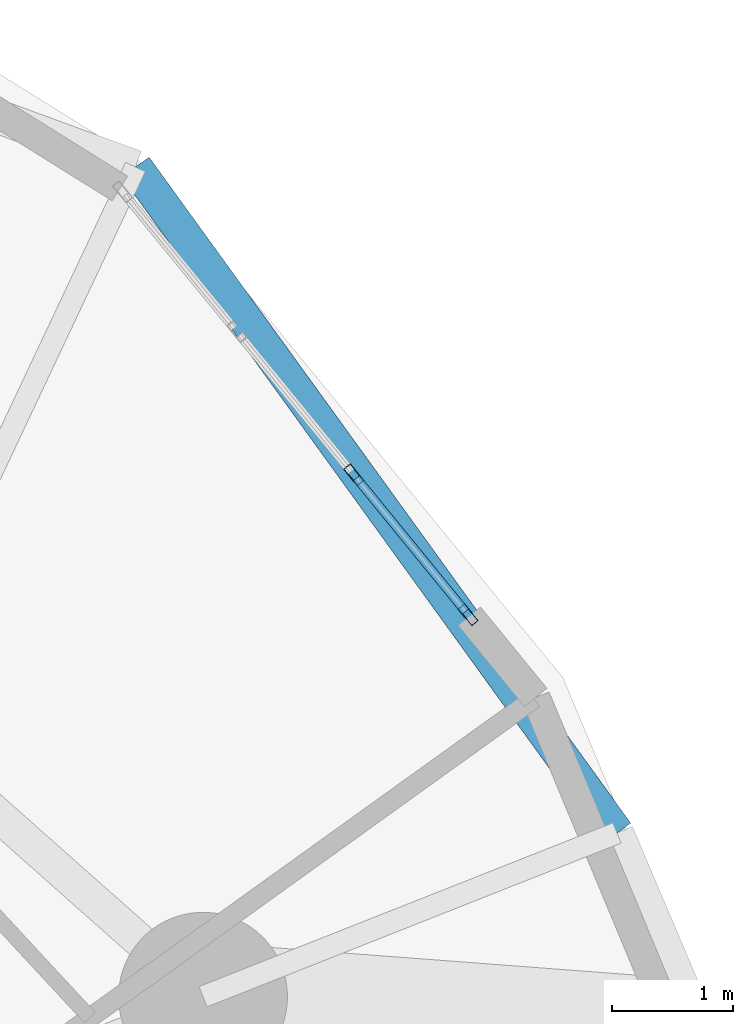
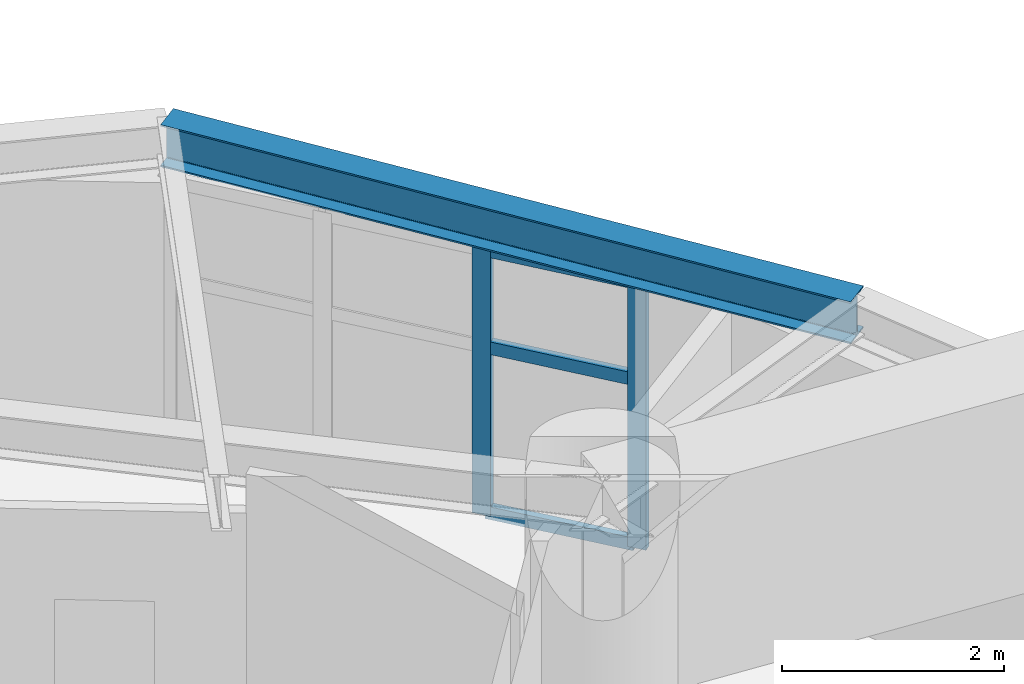
# One storey, part 3 of 17: 5 members, 1 beam, 1 element without a shape of its own.
"""IFC4 building model written with IfcOpenShell, lengths in metres."""

import ifcopenshell
import ifcopenshell.guid

model = None  # the IFC model being written
_history = None  # IfcOwnerHistory: only IFC2X3 demands one
_inside = {}  # id of a spatial element -> (the spatial element, [elements in it])
_under = {}  # id of a project, library or spatial element -> (it, [spatial elements below it])
_declared = {}  # id of a project -> (the project, [libraries it declares])
_typed = {}  # id of a type object -> (the type object, [elements of that type])
_made_of = {}  # id of a material, layer set ... -> (it, [elements and type objects made of it])


def new_model(schema):
    """Start an empty IFC model of exactly this schema.

    Asked for "IFC4X3", IfcOpenShell would pick the latest addendum, in which some entities
    have other attributes; the version numbers below select the first issue.
    IFC2X3 requires an IfcOwnerHistory on every rooted entity: one is made here for all.
    """
    global model, _history
    if schema == "IFC4X3":
        model = ifcopenshell.file(schema_version=(4, 3, 0, 0))
    else:
        model = ifcopenshell.file(schema=schema)
    _inside.clear()
    _under.clear()
    _declared.clear()
    _typed.clear()
    _made_of.clear()
    _history = None
    if model.schema == "IFC2X3":
        org = make("IfcOrganization", Name="unknown")
        user = make(
            "IfcPersonAndOrganization",
            ThePerson=make("IfcPerson", FamilyName="unknown"),
            TheOrganization=org,
        )
        app = make(
            "IfcApplication",
            ApplicationDeveloper=org,
            Version="unknown",
            ApplicationFullName="unknown",
            ApplicationIdentifier="unknown",
        )
        _history = make(
            "IfcOwnerHistory",
            OwningUser=user,
            OwningApplication=app,
            ChangeAction="ADDED",
            CreationDate=0,
        )
    return model


def make(cls, **values):
    """One entity of the class cls with the attributes given. An attribute that is None is left unset."""
    return model.create_entity(
        cls, **{name: value for name, value in values.items() if value is not None}
    )


def rooted(cls, **values):
    """An entity with a GlobalId (a new one), such as an element, a storey or a relation."""
    return make(cls, GlobalId=ifcopenshell.guid.new(), OwnerHistory=_history, **values)


def si_unit(unit_type, name, prefix=None):
    """IfcSIUnit, for example si_unit("LENGTHUNIT", "METRE", prefix="MILLI")."""
    return make("IfcSIUnit", UnitType=unit_type, Prefix=prefix, Name=name)


def assignment(units):
    """IfcUnitAssignment: the units of a project."""
    return None if units is None else make("IfcUnitAssignment", Units=units)


def point(xyz):
    """IfcCartesianPoint."""
    return None if xyz is None else make("IfcCartesianPoint", Coordinates=xyz)


def direction(xyz):
    """IfcDirection."""
    return None if xyz is None else make("IfcDirection", DirectionRatios=xyz)


def frame(location, z_axis=None, x_axis=None):
    """IfcAxis2Placement3D, a coordinate frame: its origin and axes. An axis left out is left unset."""
    return make(
        "IfcAxis2Placement3D",
        Location=point(location),
        Axis=direction(z_axis),
        RefDirection=direction(x_axis),
    )


def frame_2d(location, x_axis=None):
    """IfcAxis2Placement2D, a coordinate frame in the plane: its origin and x axis."""
    return make(
        "IfcAxis2Placement2D", Location=point(location), RefDirection=direction(x_axis)
    )


def origin():
    """The frame at (0, 0, 0) with its axes left unset."""
    return frame((0.0, 0.0, 0.0))


def origin_2d():
    """The frame at (0, 0) in the plane with its x axis left unset."""
    return frame_2d((0.0, 0.0))


def place(relative_to, where):
    """IfcLocalPlacement: puts the frame where relative to a parent placement (None: the world)."""
    return make(
        "IfcLocalPlacement", PlacementRelTo=relative_to, RelativePlacement=where
    )


def context(
    kind, dimensions, precision=None, world=None, true_north=None, identifier=None
):
    """IfcGeometricRepresentationContext, for example the 3D "Model" context."""
    return make(
        "IfcGeometricRepresentationContext",
        ContextIdentifier=identifier,
        ContextType=kind,
        CoordinateSpaceDimension=dimensions,
        Precision=precision,
        WorldCoordinateSystem=world,
        TrueNorth=true_north,
    )


def subcontext(parent, identifier, kind, view, scale=None):
    """IfcGeometricRepresentationSubContext, for example "Body" below "Model"."""
    return make(
        "IfcGeometricRepresentationSubContext",
        ContextIdentifier=identifier,
        ContextType=kind,
        ParentContext=parent,
        TargetScale=scale,
        TargetView=view,
    )


def project(units=None, contexts=None):
    """IfcProject with its units and contexts."""
    return rooted(
        "IfcProject",
        Name="project",
        RepresentationContexts=contexts,
        UnitsInContext=assignment(units),
    )


def spatial(cls, under=None, at=None, **own):
    """A site, building, storey or space (cls), placed at a placement, below another one or the project."""
    s = rooted(cls, ObjectPlacement=at, **own)
    if under is not None:
        _under.setdefault(under.id(), (under, []))[1].append(s)
    return s


def profile(cls, at=None, kind="AREA", **sizes):
    """A parametric profile (cls). Its sizes go by their IFC names, for example OverallWidth=200.0."""
    return make(cls, ProfileType=kind, Position=at, **sizes)


def hollow_rectangle(**sizes):
    """IfcRectangleHollowProfileDef."""
    return profile("IfcRectangleHollowProfileDef", **sizes)


def i_section(**sizes):
    """IfcIShapeProfileDef."""
    return profile("IfcIShapeProfileDef", **sizes)


def extrude(swept, where, along, depth):
    """IfcExtrudedAreaSolid: the profile swept, set in the frame where, extruded along a direction by depth."""
    return make(
        "IfcExtrudedAreaSolid",
        SweptArea=swept,
        Position=where,
        ExtrudedDirection=direction(along),
        Depth=depth,
    )


def shape(context_of_items, identifier, shape_type, items):
    """IfcShapeRepresentation: the items that make up one representation, for example the "Body"."""
    return make(
        "IfcShapeRepresentation",
        ContextOfItems=context_of_items,
        RepresentationIdentifier=identifier,
        RepresentationType=shape_type,
        Items=items,
    )


def material(Name=None, Category=None):
    """IfcMaterial."""
    return make("IfcMaterial", Name=Name, Category=Category)


def layer(
    of_material, thickness, ventilated=None, Name=None, Category=None, Priority=None
):
    """IfcMaterialLayer: one layer of a wall or slab, of a material (None: an air gap)."""
    return make(
        "IfcMaterialLayer",
        Material=of_material,
        LayerThickness=thickness,
        IsVentilated=ventilated,
        Name=Name,
        Category=Category,
        Priority=Priority,
    )


def layer_set(layers, Name=None):
    """IfcMaterialLayerSet."""
    return make("IfcMaterialLayerSet", MaterialLayers=layers, LayerSetName=Name)


def material_profile(
    of_material, cross_section, Name=None, Category=None, Priority=None
):
    """IfcMaterialProfile: a cross section and its material."""
    return make(
        "IfcMaterialProfile",
        Name=Name,
        Material=of_material,
        Profile=cross_section,
        Priority=Priority,
        Category=Category,
    )


def profile_set(profiles, Name=None, composite=None):
    """IfcMaterialProfileSet."""
    return make(
        "IfcMaterialProfileSet",
        Name=Name,
        MaterialProfiles=profiles,
        CompositeProfile=composite,
    )


def made_of(thing, what):
    """Note that an element or type object is made of a material, layer set ...; save() writes the relation."""
    if what is not None:
        _made_of.setdefault(what.id(), (what, []))[1].append(thing)
    return thing


def type_object(cls, material=None, **own):
    """A type object (cls), such as IfcWallType, which elements share."""
    return made_of(rooted(cls, **own), material)


def element(
    cls,
    number,
    at=None,
    inside=None,
    cuts=None,
    type_object=None,
    material=None,
    context=None,
    identifier="Body",
    shape_type=None,
    held_by="IfcProductDefinitionShape",
    body=None,
    shapes=None,
    **own,
):
    """One element of the class cls, such as IfcWall. Its Tag is "e" and its number.

    at: its placement. inside: the storey or other place that contains it. cuts: it is an
    opening in that element (IfcRelVoidsElement). A single representation is given by context,
    identifier, shape_type and body (its items); several are given by shapes. held_by: the class
    of the entity that holds the representations. save() writes the other relations.
    """
    e = rooted(cls, Tag="e%d" % number, ObjectPlacement=at, **own)
    if body is not None:
        shapes = [shape(context, identifier, shape_type, body)]
    if shapes is not None:
        e.Representation = make(held_by, Representations=shapes)
    if inside is not None:
        _inside.setdefault(inside.id(), (inside, []))[1].append(e)
    if cuts is not None:
        rooted(
            "IfcRelVoidsElement", RelatingBuildingElement=cuts, RelatedOpeningElement=e
        )
    if type_object is not None:
        _typed.setdefault(type_object.id(), (type_object, []))[1].append(e)
    return made_of(e, material)


def aggregate(whole, parts):
    """IfcRelAggregates: a whole, such as a stair, and the parts it consists of."""
    return rooted("IfcRelAggregates", RelatingObject=whole, RelatedObjects=parts)


def save(model, path):
    """Write the relations noted so far, then the file.

    IfcRelAggregates (storeys below a building ...), IfcRelContainedInSpatialStructure (elements
    in a storey), IfcRelDefinesByType, IfcRelAssociatesMaterial and IfcRelDeclares: one each for
    every whole, place, type object, material and project.
    """
    for whole, parts in _under.values():
        aggregate(whole, parts)
    for where, things in _inside.values():
        rooted(
            "IfcRelContainedInSpatialStructure",
            RelatedElements=things,
            RelatingStructure=where,
        )
    for kind, things in _typed.values():
        rooted("IfcRelDefinesByType", RelatedObjects=things, RelatingType=kind)
    for what, things in _made_of.values():
        rooted("IfcRelAssociatesMaterial", RelatedObjects=things, RelatingMaterial=what)
    for by, libraries in _declared.values():
        rooted("IfcRelDeclares", RelatingContext=by, RelatedDefinitions=libraries)
    model.write(path)


model = new_model("IFC4")

# Units and contexts
model_context = context("Model", 3, precision=1e-05, world=origin(), true_north=direction((0.0, 1.0)))
body_context = subcontext(model_context, "Body", "Model", "MODEL_VIEW")
ifc_project = project(units=[si_unit("LENGTHUNIT", "METRE"), si_unit("AREAUNIT", "SQUARE_METRE"), si_unit("VOLUMEUNIT", "CUBIC_METRE"), si_unit("PLANEANGLEUNIT", "RADIAN"), si_unit("MASSUNIT", "GRAM", prefix="KILO")], contexts=[model_context])

# Site, building, storey
site_placement = place(None, origin())
site = spatial("IfcSite", under=ifc_project, at=site_placement, CompositionType="ELEMENT")
building_placement = place(site_placement, origin())
building = spatial("IfcBuilding", under=site, at=building_placement, Name="Cununo Teusaquillo Station Towers", CompositionType="ELEMENT")
storey_placement = place(building_placement, frame((0.0, 0.0, 125.43994140625)))
storey = spatial("IfcBuildingStorey", under=building, at=storey_placement, Name="L40", CompositionType="ELEMENT", Elevation=125.43994140625)

# Beam
ifc_material_1 = material(Name="Steel ASTM A572 Grade 50", Category="steel")
ifc_material_profile_1 = material_profile(ifc_material_1, i_section(OverallWidth=0.280029296875, OverallDepth=0.462890625, WebThickness=0.0107421875, FlangeThickness=0.017333984375, FilletRadius=0.013916015625, at=origin_2d()), Name="W18X76")
ifc_profile_set_1 = profile_set([ifc_material_profile_1], Name="Steel ASTM A572 Grade 50")
beam_type = type_object("IfcBeamType", Name="BM-RING-Z2", PredefinedType="SPANDREL", material=ifc_profile_set_1)
beam_placement = place(storey_placement, frame((29.77880859375, 34.586181640625, 3.20849609375), z_axis=(-0.58594455724, 0.810351143543, 0.0), x_axis=(-0.810351143543, -0.58594455724, 0.0)))
element("IfcBeam", 1, at=beam_placement, inside=storey, type_object=beam_type, Name="L40 Tower A Spandrel Ring Beam 03", PredefinedType="SPANDREL", context=body_context, shape_type="SweptSolid", body=[
    extrude(i_section(OverallWidth=0.280029296875, OverallDepth=0.462890625, WebThickness=0.0107421875, FlangeThickness=0.017333984375, FilletRadius=0.013916015625, at=origin_2d()), origin(), (0.0, 0.0, 1.0), 6.8115234375),
])

# Curtain wall, members
ifc_material_2 = material(Name="Ceramic-fritted dark low-E double glazing", Category="glass")
ifc_layer = layer(ifc_material_2, 0.179931640625)
ifc_layer_set = layer_set([ifc_layer], Name="Ceramic-fritted dark low-E double glazing")
curtain_wall_type = type_object("IfcCurtainWallType", Name="CW-SYS-04", PredefinedType="USERDEFINED", material=ifc_layer_set)
curtain_wall_placement = place(storey_placement, origin())
curtain_wall = element("IfcCurtainWall", 2, at=curtain_wall_placement, inside=storey, type_object=curtain_wall_type, Name="L40 Tower A Facade Curtain Wall C02", ObjectType="FRITTED GLAZING", PredefinedType="USERDEFINED")
ifc_material_3 = material(Name="Anodised dark bronze aluminium EN AW-6063-T6", Category="aluminium")
ifc_material_profile_2 = material_profile(ifc_material_3, hollow_rectangle(XDim=0.070068359375, YDim=0.179931640625, WallThickness=0.00390625, at=origin_2d()), Name="CW-MULL-70x180")
ifc_profile_set_2 = profile_set([ifc_material_profile_2], Name="Anodised dark bronze aluminium EN AW-6063-T6")
member_type_1 = type_object("IfcMemberType", Name="CWM-180", PredefinedType="MULLION", material=ifc_profile_set_2)
member_1_placement = place(storey_placement, frame((27.59765625, 37.55419921875, 0.0), z_axis=(0.0, 0.0, 1.0), x_axis=(0.774394127889, 0.63270351247, 0.0)))
member_1 = element("IfcMember", 3, at=member_1_placement, type_object=member_type_1, Name="CW-04 mullion 3", PredefinedType="MULLION", context=body_context, shape_type="SweptSolid", body=[
    extrude(hollow_rectangle(XDim=0.070068359375, YDim=0.179931640625, WallThickness=0.00390625, at=origin_2d()), origin(), (0.0, 0.0, 1.0), 2.948974609375),
])
member_2_placement = place(storey_placement, frame((28.54541015625, 36.394287109375, 0.0), z_axis=(0.0, 0.0, 1.0), x_axis=(0.774394127889, 0.63270351247, 0.0)))
member_2 = element("IfcMember", 4, at=member_2_placement, type_object=member_type_1, Name="CW-04 mullion 4", PredefinedType="MULLION", context=body_context, shape_type="SweptSolid", body=[
    extrude(hollow_rectangle(XDim=0.070068359375, YDim=0.179931640625, WallThickness=0.00390625, at=origin_2d()), origin(), (0.0, 0.0, 1.0), 2.948974609375),
])
ifc_material_4 = material(Name="Anodised dark bronze aluminium EN AW-6063-T6", Category="aluminium")
ifc_material_profile_3 = material_profile(ifc_material_4, hollow_rectangle(XDim=0.070068359375, YDim=0.139892578125, WallThickness=0.00390625, at=origin_2d()), Name="CW-TRAN-70x140")
ifc_profile_set_3 = profile_set([ifc_material_profile_3], Name="Anodised dark bronze aluminium EN AW-6063-T6")
member_type_2 = type_object("IfcMemberType", Name="CWT-140", PredefinedType="USERDEFINED", material=ifc_profile_set_3)
member_3_placement = place(storey_placement, frame((27.619873046875, 37.527099609375, 0.03515625), z_axis=(0.632669622249, -0.774421815991, 0.0), x_axis=(0.774421815991, 0.632669622249, 0.0)))
member_3 = element("IfcMember", 5, at=member_3_placement, type_object=member_type_2, Name="CW-04 transom 3.1", ObjectType="TRANSOM", PredefinedType="USERDEFINED", context=body_context, shape_type="SweptSolid", body=[
    extrude(hollow_rectangle(XDim=0.070068359375, YDim=0.139892578125, WallThickness=0.00390625, at=origin_2d()), origin(), (0.0, 0.0, 1.0), 1.427734375),
])
member_4_placement = place(storey_placement, frame((27.619873046875, 37.527099609375, 1.85009765625), z_axis=(0.632669622249, -0.774421815991, 0.0), x_axis=(0.774421815991, 0.632669622249, 0.0)))
member_4 = element("IfcMember", 6, at=member_4_placement, type_object=member_type_2, Name="CW-04 transom 3.2", ObjectType="TRANSOM", PredefinedType="USERDEFINED", context=body_context, shape_type="SweptSolid", body=[
    extrude(hollow_rectangle(XDim=0.070068359375, YDim=0.139892578125, WallThickness=0.00390625, at=origin_2d()), origin(), (0.0, 0.0, 1.0), 1.427734375),
])
member_5_placement = place(storey_placement, frame((27.619873046875, 37.527099609375, 2.9140625), z_axis=(0.632669622249, -0.774421815991, 0.0), x_axis=(0.774421815991, 0.632669622249, 0.0)))
member_5 = element("IfcMember", 7, at=member_5_placement, type_object=member_type_2, Name="CW-04 transom 3.3", ObjectType="TRANSOM", PredefinedType="USERDEFINED", context=body_context, shape_type="SweptSolid", body=[
    extrude(hollow_rectangle(XDim=0.070068359375, YDim=0.139892578125, WallThickness=0.00390625, at=origin_2d()), origin(), (0.0, 0.0, 1.0), 1.427734375),
])
aggregate(curtain_wall, [member_1, member_2, member_3, member_4, member_5])

save(model, "model.ifc")
